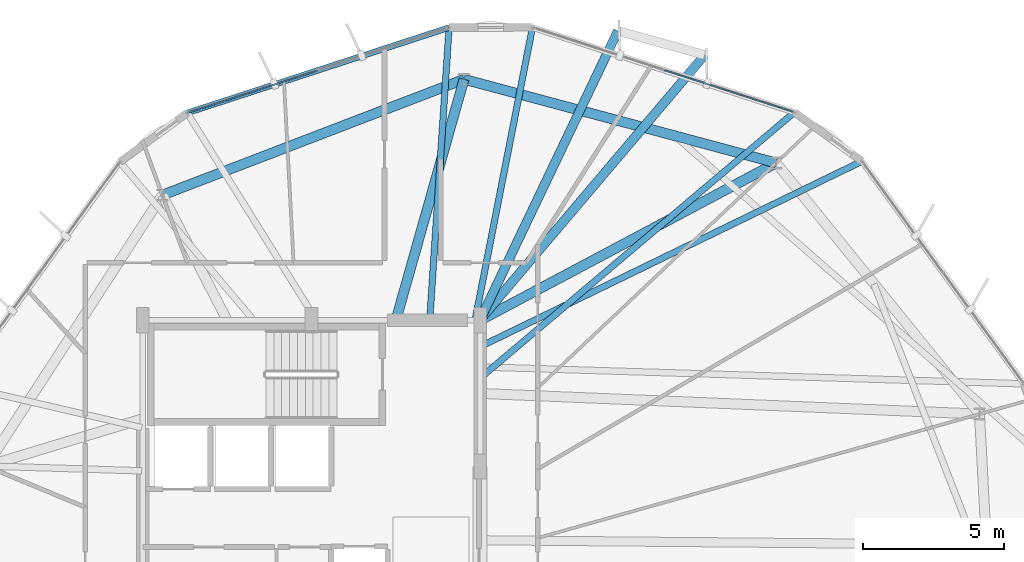
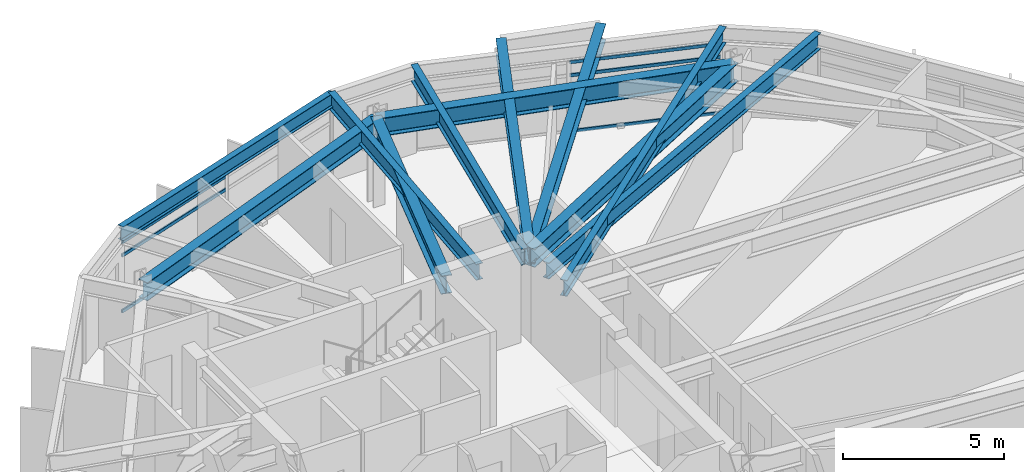
# One storey, part 20 of 31: 11 beams, 6 members, 2 elements without a shape of their own.
"""IFC4 building model written with IfcOpenShell, lengths in metres."""

import ifcopenshell
import ifcopenshell.guid

model = None  # the IFC model being written
_history = None  # IfcOwnerHistory: only IFC2X3 demands one
_inside = {}  # id of a spatial element -> (the spatial element, [elements in it])
_under = {}  # id of a project, library or spatial element -> (it, [spatial elements below it])
_declared = {}  # id of a project -> (the project, [libraries it declares])
_typed = {}  # id of a type object -> (the type object, [elements of that type])
_made_of = {}  # id of a material, layer set ... -> (it, [elements and type objects made of it])


def new_model(schema):
    """Start an empty IFC model of exactly this schema.

    Asked for "IFC4X3", IfcOpenShell would pick the latest addendum, in which some entities
    have other attributes; the version numbers below select the first issue.
    IFC2X3 requires an IfcOwnerHistory on every rooted entity: one is made here for all.
    """
    global model, _history
    if schema == "IFC4X3":
        model = ifcopenshell.file(schema_version=(4, 3, 0, 0))
    else:
        model = ifcopenshell.file(schema=schema)
    _inside.clear()
    _under.clear()
    _declared.clear()
    _typed.clear()
    _made_of.clear()
    _history = None
    if model.schema == "IFC2X3":
        org = make("IfcOrganization", Name="unknown")
        user = make(
            "IfcPersonAndOrganization",
            ThePerson=make("IfcPerson", FamilyName="unknown"),
            TheOrganization=org,
        )
        app = make(
            "IfcApplication",
            ApplicationDeveloper=org,
            Version="unknown",
            ApplicationFullName="unknown",
            ApplicationIdentifier="unknown",
        )
        _history = make(
            "IfcOwnerHistory",
            OwningUser=user,
            OwningApplication=app,
            ChangeAction="ADDED",
            CreationDate=0,
        )
    return model


def make(cls, **values):
    """One entity of the class cls with the attributes given. An attribute that is None is left unset."""
    return model.create_entity(
        cls, **{name: value for name, value in values.items() if value is not None}
    )


def rooted(cls, **values):
    """An entity with a GlobalId (a new one), such as an element, a storey or a relation."""
    return make(cls, GlobalId=ifcopenshell.guid.new(), OwnerHistory=_history, **values)


def si_unit(unit_type, name, prefix=None):
    """IfcSIUnit, for example si_unit("LENGTHUNIT", "METRE", prefix="MILLI")."""
    return make("IfcSIUnit", UnitType=unit_type, Prefix=prefix, Name=name)


def assignment(units):
    """IfcUnitAssignment: the units of a project."""
    return None if units is None else make("IfcUnitAssignment", Units=units)


def point(xyz):
    """IfcCartesianPoint."""
    return None if xyz is None else make("IfcCartesianPoint", Coordinates=xyz)


def direction(xyz):
    """IfcDirection."""
    return None if xyz is None else make("IfcDirection", DirectionRatios=xyz)


def frame(location, z_axis=None, x_axis=None):
    """IfcAxis2Placement3D, a coordinate frame: its origin and axes. An axis left out is left unset."""
    return make(
        "IfcAxis2Placement3D",
        Location=point(location),
        Axis=direction(z_axis),
        RefDirection=direction(x_axis),
    )


def frame_2d(location, x_axis=None):
    """IfcAxis2Placement2D, a coordinate frame in the plane: its origin and x axis."""
    return make(
        "IfcAxis2Placement2D", Location=point(location), RefDirection=direction(x_axis)
    )


def origin():
    """The frame at (0, 0, 0) with its axes left unset."""
    return frame((0.0, 0.0, 0.0))


def origin_2d():
    """The frame at (0, 0) in the plane with its x axis left unset."""
    return frame_2d((0.0, 0.0))


def place(relative_to, where):
    """IfcLocalPlacement: puts the frame where relative to a parent placement (None: the world)."""
    return make(
        "IfcLocalPlacement", PlacementRelTo=relative_to, RelativePlacement=where
    )


def context(
    kind, dimensions, precision=None, world=None, true_north=None, identifier=None
):
    """IfcGeometricRepresentationContext, for example the 3D "Model" context."""
    return make(
        "IfcGeometricRepresentationContext",
        ContextIdentifier=identifier,
        ContextType=kind,
        CoordinateSpaceDimension=dimensions,
        Precision=precision,
        WorldCoordinateSystem=world,
        TrueNorth=true_north,
    )


def subcontext(parent, identifier, kind, view, scale=None):
    """IfcGeometricRepresentationSubContext, for example "Body" below "Model"."""
    return make(
        "IfcGeometricRepresentationSubContext",
        ContextIdentifier=identifier,
        ContextType=kind,
        ParentContext=parent,
        TargetScale=scale,
        TargetView=view,
    )


def project(units=None, contexts=None):
    """IfcProject with its units and contexts."""
    return rooted(
        "IfcProject",
        Name="project",
        RepresentationContexts=contexts,
        UnitsInContext=assignment(units),
    )


def spatial(cls, under=None, at=None, **own):
    """A site, building, storey or space (cls), placed at a placement, below another one or the project."""
    s = rooted(cls, ObjectPlacement=at, **own)
    if under is not None:
        _under.setdefault(under.id(), (under, []))[1].append(s)
    return s


def profile(cls, at=None, kind="AREA", **sizes):
    """A parametric profile (cls). Its sizes go by their IFC names, for example OverallWidth=200.0."""
    return make(cls, ProfileType=kind, Position=at, **sizes)


def hollow_rectangle(**sizes):
    """IfcRectangleHollowProfileDef."""
    return profile("IfcRectangleHollowProfileDef", **sizes)


def i_section(**sizes):
    """IfcIShapeProfileDef."""
    return profile("IfcIShapeProfileDef", **sizes)


def extrude(swept, where, along, depth):
    """IfcExtrudedAreaSolid: the profile swept, set in the frame where, extruded along a direction by depth."""
    return make(
        "IfcExtrudedAreaSolid",
        SweptArea=swept,
        Position=where,
        ExtrudedDirection=direction(along),
        Depth=depth,
    )


def shape(context_of_items, identifier, shape_type, items):
    """IfcShapeRepresentation: the items that make up one representation, for example the "Body"."""
    return make(
        "IfcShapeRepresentation",
        ContextOfItems=context_of_items,
        RepresentationIdentifier=identifier,
        RepresentationType=shape_type,
        Items=items,
    )


def material(Name=None, Category=None):
    """IfcMaterial."""
    return make("IfcMaterial", Name=Name, Category=Category)


def layer(
    of_material, thickness, ventilated=None, Name=None, Category=None, Priority=None
):
    """IfcMaterialLayer: one layer of a wall or slab, of a material (None: an air gap)."""
    return make(
        "IfcMaterialLayer",
        Material=of_material,
        LayerThickness=thickness,
        IsVentilated=ventilated,
        Name=Name,
        Category=Category,
        Priority=Priority,
    )


def layer_set(layers, Name=None):
    """IfcMaterialLayerSet."""
    return make("IfcMaterialLayerSet", MaterialLayers=layers, LayerSetName=Name)


def material_profile(
    of_material, cross_section, Name=None, Category=None, Priority=None
):
    """IfcMaterialProfile: a cross section and its material."""
    return make(
        "IfcMaterialProfile",
        Name=Name,
        Material=of_material,
        Profile=cross_section,
        Priority=Priority,
        Category=Category,
    )


def profile_set(profiles, Name=None, composite=None):
    """IfcMaterialProfileSet."""
    return make(
        "IfcMaterialProfileSet",
        Name=Name,
        MaterialProfiles=profiles,
        CompositeProfile=composite,
    )


def made_of(thing, what):
    """Note that an element or type object is made of a material, layer set ...; save() writes the relation."""
    if what is not None:
        _made_of.setdefault(what.id(), (what, []))[1].append(thing)
    return thing


def type_object(cls, material=None, **own):
    """A type object (cls), such as IfcWallType, which elements share."""
    return made_of(rooted(cls, **own), material)


def element(
    cls,
    number,
    at=None,
    inside=None,
    cuts=None,
    type_object=None,
    material=None,
    context=None,
    identifier="Body",
    shape_type=None,
    held_by="IfcProductDefinitionShape",
    body=None,
    shapes=None,
    **own,
):
    """One element of the class cls, such as IfcWall. Its Tag is "e" and its number.

    at: its placement. inside: the storey or other place that contains it. cuts: it is an
    opening in that element (IfcRelVoidsElement). A single representation is given by context,
    identifier, shape_type and body (its items); several are given by shapes. held_by: the class
    of the entity that holds the representations. save() writes the other relations.
    """
    e = rooted(cls, Tag="e%d" % number, ObjectPlacement=at, **own)
    if body is not None:
        shapes = [shape(context, identifier, shape_type, body)]
    if shapes is not None:
        e.Representation = make(held_by, Representations=shapes)
    if inside is not None:
        _inside.setdefault(inside.id(), (inside, []))[1].append(e)
    if cuts is not None:
        rooted(
            "IfcRelVoidsElement", RelatingBuildingElement=cuts, RelatedOpeningElement=e
        )
    if type_object is not None:
        _typed.setdefault(type_object.id(), (type_object, []))[1].append(e)
    return made_of(e, material)


def aggregate(whole, parts):
    """IfcRelAggregates: a whole, such as a stair, and the parts it consists of."""
    return rooted("IfcRelAggregates", RelatingObject=whole, RelatedObjects=parts)


def save(model, path):
    """Write the relations noted so far, then the file.

    IfcRelAggregates (storeys below a building ...), IfcRelContainedInSpatialStructure (elements
    in a storey), IfcRelDefinesByType, IfcRelAssociatesMaterial and IfcRelDeclares: one each for
    every whole, place, type object, material and project.
    """
    for whole, parts in _under.values():
        aggregate(whole, parts)
    for where, things in _inside.values():
        rooted(
            "IfcRelContainedInSpatialStructure",
            RelatedElements=things,
            RelatingStructure=where,
        )
    for kind, things in _typed.values():
        rooted("IfcRelDefinesByType", RelatedObjects=things, RelatingType=kind)
    for what, things in _made_of.values():
        rooted("IfcRelAssociatesMaterial", RelatedObjects=things, RelatingMaterial=what)
    for by, libraries in _declared.values():
        rooted("IfcRelDeclares", RelatingContext=by, RelatedDefinitions=libraries)
    model.write(path)


model = new_model("IFC4")

# Units and contexts
model_context = context("Model", 3, precision=1e-05, world=origin(), true_north=direction((0.0, 1.0)))
body_context = subcontext(model_context, "Body", "Model", "MODEL_VIEW")
ifc_project = project(units=[si_unit("LENGTHUNIT", "METRE"), si_unit("AREAUNIT", "SQUARE_METRE"), si_unit("VOLUMEUNIT", "CUBIC_METRE"), si_unit("PLANEANGLEUNIT", "RADIAN"), si_unit("MASSUNIT", "GRAM", prefix="KILO")], contexts=[model_context])

# Site, building, storey
site_placement = place(None, origin())
site = spatial("IfcSite", under=ifc_project, at=site_placement, CompositionType="ELEMENT")
building_placement = place(site_placement, origin())
building = spatial("IfcBuilding", under=site, at=building_placement, Name="Soratama Intermodal Tower", CompositionType="ELEMENT")
storey_placement = place(building_placement, frame((0.0, 0.0, 230.199951171875)))
storey = spatial("IfcBuildingStorey", under=building, at=storey_placement, Name="L58", CompositionType="ELEMENT", Elevation=230.199951171875)

# Beams
ifc_material_1 = material(Name="Structural steel ASTM A992 Grade 50", Category="steel")
ifc_material_profile_1 = material_profile(ifc_material_1, i_section(OverallWidth=0.324951171875, OverallDepth=0.615966796875, WebThickness=0.013916015625, FlangeThickness=0.021484375, FilletRadius=0.013916015625, at=origin_2d()), Name="W24X117")
ifc_profile_set_1 = profile_set([ifc_material_profile_1], Name="Structural steel ASTM A992 Grade 50")
beam_type_1 = type_object("IfcBeamType", Name="BM-CANT-W24X117", PredefinedType="BEAM", material=ifc_profile_set_1)
beam_1_placement = place(storey_placement, frame((44.60302734375, 35.030029296875, 2.991943359375), z_axis=(0.64704228652, 0.762454116295, 0.0), x_axis=(-0.762454116295, 0.64704228652, 0.0)))
element("IfcBeam", 1, at=beam_1_placement, inside=storey, type_object=beam_type_1, Name="BM-L58-CANT-2-1", PredefinedType="BEAM", context=body_context, shape_type="SweptSolid", body=[
    extrude(i_section(OverallWidth=0.324951171875, OverallDepth=0.615966796875, WebThickness=0.013916015625, FlangeThickness=0.021484375, FilletRadius=0.013916015625, at=origin_2d()), origin(), (0.0, 0.0, 1.0), 12.339111328125),
])
beam_2_placement = place(storey_placement, frame((44.60595703125, 35.035888671875, 2.991943359375), z_axis=(0.430530399583, 0.902576077145, 0.0), x_axis=(-0.902576077145, 0.430530399583, 0.0)))
element("IfcBeam", 2, at=beam_2_placement, inside=storey, type_object=beam_type_1, Name="BM-L58-CANT-2-2", PredefinedType="BEAM", context=body_context, shape_type="SweptSolid", body=[
    extrude(i_section(OverallWidth=0.324951171875, OverallDepth=0.615966796875, WebThickness=0.013916015625, FlangeThickness=0.021484375, FilletRadius=0.013916015625, at=origin_2d()), origin(), (0.0, 0.0, 1.0), 11.367431640625),
])
ifc_material_2 = material(Name="Structural steel ASTM A992 Grade 50", Category="steel")
ifc_material_profile_2 = material_profile(ifc_material_2, i_section(OverallWidth=0.35498046875, OverallDepth=0.695068359375, WebThickness=0.015380859375, FlangeThickness=0.02490234375, FilletRadius=0.01611328125, at=origin_2d()), Name="W27X146")
ifc_profile_set_2 = profile_set([ifc_material_profile_2], Name="Structural steel ASTM A992 Grade 50")
beam_type_2 = type_object("IfcBeamType", Name="BM-RING-W27X146", PredefinedType="BEAM", material=ifc_profile_set_2)
beam_3_placement = place(storey_placement, frame((55.1298828125, 40.59912109375, 2.95263671875), z_axis=(-0.965907374298, 0.258887899055, 0.0), x_axis=(-0.258887899055, -0.965907374298, 0.0)))
element("IfcBeam", 3, at=beam_3_placement, inside=storey, type_object=beam_type_2, Name="BM-L58-RING-02", PredefinedType="BEAM", context=body_context, shape_type="SweptSolid", body=[
    extrude(i_section(OverallWidth=0.35498046875, OverallDepth=0.695068359375, WebThickness=0.015380859375, FlangeThickness=0.02490234375, FilletRadius=0.01611328125, at=origin_2d()), origin(), (0.0, 0.0, 1.0), 11.49462890625),
])
beam_4_placement = place(storey_placement, frame((44.027099609375, 43.574951171875, 2.95263671875), z_axis=(-0.933575304305, -0.358381293026, 0.0), x_axis=(0.358381293026, -0.933575304305, 0.0)))
element("IfcBeam", 4, at=beam_4_placement, inside=storey, type_object=beam_type_2, Name="BM-L58-RING-03", PredefinedType="BEAM", context=body_context, shape_type="SweptSolid", body=[
    extrude(i_section(OverallWidth=0.35498046875, OverallDepth=0.695068359375, WebThickness=0.015380859375, FlangeThickness=0.02490234375, FilletRadius=0.01611328125, at=origin_2d()), origin(), (0.0, 0.0, 1.0), 11.495849609375),
])
beam_5_placement = place(storey_placement, frame((44.60009765625, 35.0, 2.95263671875), z_axis=(0.882935948236, 0.469493462482, 0.0), x_axis=(-0.469493462482, 0.882935948236, 0.0)))
element("IfcBeam", 5, at=beam_5_placement, inside=storey, type_object=beam_type_2, Name="BM-L58-RAD-02", PredefinedType="BEAM", context=body_context, shape_type="SweptSolid", body=[
    extrude(i_section(OverallWidth=0.35498046875, OverallDepth=0.695068359375, WebThickness=0.015380859375, FlangeThickness=0.02490234375, FilletRadius=0.01611328125, at=origin_2d()), origin(), (0.0, 0.0, 1.0), 11.92578125),
])
beam_6_placement = place(storey_placement, frame((41.60009765625, 35.0, 2.95263671875), z_axis=(0.272335865412, 0.96220225338, 0.0), x_axis=(-0.96220225338, 0.272335865412, 0.0)))
element("IfcBeam", 6, at=beam_6_placement, inside=storey, type_object=beam_type_2, Name="BM-L58-RAD-03", PredefinedType="BEAM", context=body_context, shape_type="SweptSolid", body=[
    extrude(i_section(OverallWidth=0.35498046875, OverallDepth=0.695068359375, WebThickness=0.015380859375, FlangeThickness=0.02490234375, FilletRadius=0.01611328125, at=origin_2d()), origin(), (0.0, 0.0, 1.0), 8.911865234375),
])
ifc_material_3 = material(Name="Structural steel ASTM A992 Grade 50", Category="steel")
ifc_material_profile_3 = material_profile(ifc_material_3, i_section(OverallWidth=0.2099609375, OverallDepth=0.537109375, WebThickness=0.010986328125, FlangeThickness=0.017333984375, FilletRadius=0.012939453125, at=origin_2d()), Name="W21X68")
ifc_profile_set_3 = profile_set([ifc_material_profile_3], Name="Structural steel ASTM A992 Grade 50")
beam_type_3 = type_object("IfcBeamType", Name="BM-SPN-W21X68", PredefinedType="SPANDREL", material=ifc_profile_set_3)
beam_7_placement = place(storey_placement, frame((43.4951171875, 45.416015625, 3.031494140625), z_axis=(-0.950743409845, -0.309978980959, 0.0), x_axis=(0.309978980959, -0.950743409845, 0.0)))
element("IfcBeam", 7, at=beam_7_placement, inside=storey, type_object=beam_type_3, Name="BS-L58-F02", PredefinedType="SPANDREL", context=body_context, shape_type="SweptSolid", body=[
    extrude(i_section(OverallWidth=0.2099609375, OverallDepth=0.537109375, WebThickness=0.010986328125, FlangeThickness=0.017333984375, FilletRadius=0.012939453125, at=origin_2d()), origin(), (0.0, 0.0, 1.0), 9.7978515625),
])
ifc_material_4 = material(Name="Structural steel ASTM A992 Grade 50", Category="steel")
ifc_material_profile_4 = material_profile(ifc_material_4, i_section(OverallWidth=0.22900390625, OverallDepth=0.612060546875, WebThickness=0.011962890625, FlangeThickness=0.01953125, FilletRadius=0.012939453125, at=origin_2d()), Name="W24X84")
ifc_profile_set_4 = profile_set([ifc_material_profile_4], Name="Structural steel ASTM A992 Grade 50")
beam_type_4 = type_object("IfcBeamType", Name="BM-TIE-W24X84", PredefinedType="BEAM", material=ifc_profile_set_4)
beam_8_placement = place(storey_placement, frame((44.631103515625, 32.971923828125, 2.994140625), z_axis=(0.763589154849, 0.645702410246, 0.0), x_axis=(-0.645702410246, 0.763589154849, 0.0)))
element("IfcBeam", 8, at=beam_8_placement, inside=storey, type_object=beam_type_4, Name="BM-L58-TIE0-01", PredefinedType="BEAM", context=body_context, shape_type="SweptSolid", body=[
    extrude(i_section(OverallWidth=0.22900390625, OverallDepth=0.612060546875, WebThickness=0.011962890625, FlangeThickness=0.01953125, FilletRadius=0.012939453125, at=origin_2d()), origin(), (0.0, 0.0, 1.0), 14.6044921875),
])
beam_9_placement = place(storey_placement, frame((44.426025390625, 35.0390625, 2.994140625), z_axis=(0.192453244058, 0.981306144305, 0.0), x_axis=(-0.981306144305, 0.192453244058, 0.0)))
element("IfcBeam", 9, at=beam_9_placement, inside=storey, type_object=beam_type_4, Name="BM-L58-TIE1-01", PredefinedType="BEAM", context=body_context, shape_type="SweptSolid", body=[
    extrude(i_section(OverallWidth=0.22900390625, OverallDepth=0.612060546875, WebThickness=0.011962890625, FlangeThickness=0.01953125, FilletRadius=0.012939453125, at=origin_2d()), origin(), (0.0, 0.0, 1.0), 10.57861328125),
])
beam_10_placement = place(storey_placement, frame((42.80908203125, 35.0400390625, 2.994140625), z_axis=(0.065973601088, 0.997821368763, 0.0), x_axis=(-0.997821368763, 0.065973601088, 0.0)))
element("IfcBeam", 10, at=beam_10_placement, inside=storey, type_object=beam_type_4, Name="BM-L58-TIE0-02", PredefinedType="BEAM", context=body_context, shape_type="SweptSolid", body=[
    extrude(i_section(OverallWidth=0.22900390625, OverallDepth=0.612060546875, WebThickness=0.011962890625, FlangeThickness=0.01953125, FilletRadius=0.012939453125, at=origin_2d()), origin(), (0.0, 0.0, 1.0), 10.398681640625),
])
beam_11_placement = place(storey_placement, frame((44.635986328125, 34.080078125, 2.994140625), z_axis=(0.899538004591, 0.436842509717, 0.0), x_axis=(-0.436842509717, 0.899538004591, 0.0)))
element("IfcBeam", 11, at=beam_11_placement, inside=storey, type_object=beam_type_4, Name="BM-L58-TIE1-10", PredefinedType="BEAM", context=body_context, shape_type="SweptSolid", body=[
    extrude(i_section(OverallWidth=0.22900390625, OverallDepth=0.612060546875, WebThickness=0.011962890625, FlangeThickness=0.01953125, FilletRadius=0.012939453125, at=origin_2d()), origin(), (0.0, 0.0, 1.0), 15.062255859375),
])

# Curtain wall, members
ifc_material_5 = material(Name="Double-glazed aluminium curtain wall", Category="aluminium")
ifc_layer = layer(ifc_material_5, 0.159912109375)
ifc_layer_set = layer_set([ifc_layer], Name="Double-glazed aluminium curtain wall")
curtain_wall_type = type_object("IfcCurtainWallType", Name="CW-SYS-5", PredefinedType="NOTDEFINED", material=ifc_layer_set)
curtain_wall_1_placement = place(storey_placement, origin())
curtain_wall_1 = element("IfcCurtainWall", 12, at=curtain_wall_1_placement, inside=storey, type_object=curtain_wall_type, Name="L58 Faceted Curtain Wall F01", PredefinedType="NOTDEFINED")
ifc_material_6 = material(Name="Anodised aluminium AA 6063-T6", Category="aluminium")
ifc_material_profile_5 = material_profile(ifc_material_6, hollow_rectangle(XDim=0.06005859375, YDim=0.1298828125, WallThickness=0.0048828125, InnerFilletRadius=0.0048828125, OuterFilletRadius=0.010009765625, at=origin_2d()), Name="CWT130X60X5")
ifc_profile_set_5 = profile_set([ifc_material_profile_5], Name="Anodised aluminium AA 6063-T6")
member_type = type_object("IfcMemberType", Name="TT-CWT-2", PredefinedType="USERDEFINED", material=ifc_profile_set_5)
member_1_placement = place(storey_placement, frame((55.72607421875, 42.420166015625, 0.030029296875), z_axis=(-0.951379335093, 0.308021688778, 0.0), x_axis=(-0.308021688778, -0.951379335093, 0.0)))
member_1 = element("IfcMember", 13, at=member_1_placement, type_object=member_type, Name="CW-5 transom 1.1", ObjectType="TRANSOM", PredefinedType="USERDEFINED", context=body_context, shape_type="SweptSolid", body=[
    extrude(hollow_rectangle(XDim=0.06005859375, YDim=0.1298828125, WallThickness=0.0048828125, InnerFilletRadius=0.0048828125, OuterFilletRadius=0.010009765625, at=origin_2d()), origin(), (0.0, 0.0, 1.0), 4.808837890625),
])
member_2_placement = place(storey_placement, frame((55.72607421875, 42.420166015625, 2.150146484375), z_axis=(-0.951379335093, 0.308021688778, 0.0), x_axis=(-0.308021688778, -0.951379335093, 0.0)))
member_2 = element("IfcMember", 14, at=member_2_placement, type_object=member_type, Name="CW-5 transom 1.2", ObjectType="TRANSOM", PredefinedType="USERDEFINED", context=body_context, shape_type="SweptSolid", body=[
    extrude(hollow_rectangle(XDim=0.06005859375, YDim=0.1298828125, WallThickness=0.0048828125, InnerFilletRadius=0.0048828125, OuterFilletRadius=0.010009765625, at=origin_2d()), origin(), (0.0, 0.0, 1.0), 4.808837890625),
])
member_3_placement = place(storey_placement, frame((55.72607421875, 42.420166015625, 2.649169921875), z_axis=(-0.951379335093, 0.308021688778, 0.0), x_axis=(-0.308021688778, -0.951379335093, 0.0)))
member_3 = element("IfcMember", 15, at=member_3_placement, type_object=member_type, Name="CW-5 transom 1.3", ObjectType="TRANSOM", PredefinedType="USERDEFINED", context=body_context, shape_type="SweptSolid", body=[
    extrude(hollow_rectangle(XDim=0.06005859375, YDim=0.1298828125, WallThickness=0.0048828125, InnerFilletRadius=0.0048828125, OuterFilletRadius=0.010009765625, at=origin_2d()), origin(), (0.0, 0.0, 1.0), 4.808837890625),
])
aggregate(curtain_wall_1, [member_1, member_2, member_3])

curtain_wall_2_placement = place(storey_placement, origin())
curtain_wall_2 = element("IfcCurtainWall", 16, at=curtain_wall_2_placement, inside=storey, type_object=curtain_wall_type, Name="L58 Faceted Curtain Wall F02", PredefinedType="NOTDEFINED")
member_4_placement = place(storey_placement, frame((38.809326171875, 43.888427734375, 0.030029296875), z_axis=(-0.950734393788, -0.310006632942, 0.0), x_axis=(0.310006632942, -0.950734393788, 0.0)))
member_4 = element("IfcMember", 17, at=member_4_placement, type_object=member_type, Name="CW-5 transom 2.1", ObjectType="TRANSOM", PredefinedType="USERDEFINED", context=body_context, shape_type="SweptSolid", body=[
    extrude(hollow_rectangle(XDim=0.06005859375, YDim=0.1298828125, WallThickness=0.0048828125, InnerFilletRadius=0.0048828125, OuterFilletRadius=0.010009765625, at=origin_2d()), origin(), (0.0, 0.0, 1.0), 4.80859375),
])
member_5_placement = place(storey_placement, frame((38.809326171875, 43.888427734375, 2.150146484375), z_axis=(-0.950734393788, -0.310006632942, 0.0), x_axis=(0.310006632942, -0.950734393788, 0.0)))
member_5 = element("IfcMember", 18, at=member_5_placement, type_object=member_type, Name="CW-5 transom 2.2", ObjectType="TRANSOM", PredefinedType="USERDEFINED", context=body_context, shape_type="SweptSolid", body=[
    extrude(hollow_rectangle(XDim=0.06005859375, YDim=0.1298828125, WallThickness=0.0048828125, InnerFilletRadius=0.0048828125, OuterFilletRadius=0.010009765625, at=origin_2d()), origin(), (0.0, 0.0, 1.0), 4.80859375),
])
member_6_placement = place(storey_placement, frame((38.809326171875, 43.888427734375, 2.649169921875), z_axis=(-0.950734393788, -0.310006632942, 0.0), x_axis=(0.310006632942, -0.950734393788, 0.0)))
member_6 = element("IfcMember", 19, at=member_6_placement, type_object=member_type, Name="CW-5 transom 2.3", ObjectType="TRANSOM", PredefinedType="USERDEFINED", context=body_context, shape_type="SweptSolid", body=[
    extrude(hollow_rectangle(XDim=0.06005859375, YDim=0.1298828125, WallThickness=0.0048828125, InnerFilletRadius=0.0048828125, OuterFilletRadius=0.010009765625, at=origin_2d()), origin(), (0.0, 0.0, 1.0), 4.80859375),
])
aggregate(curtain_wall_2, [member_4, member_5, member_6])

save(model, "model.ifc")
